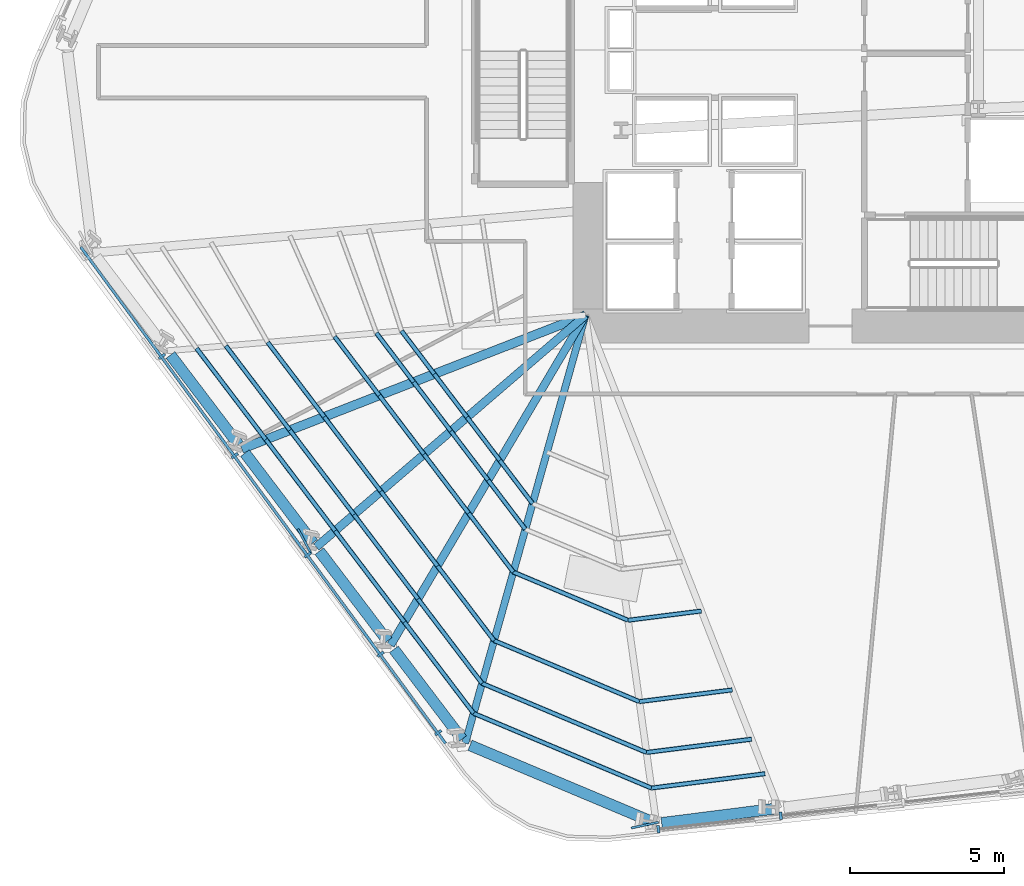
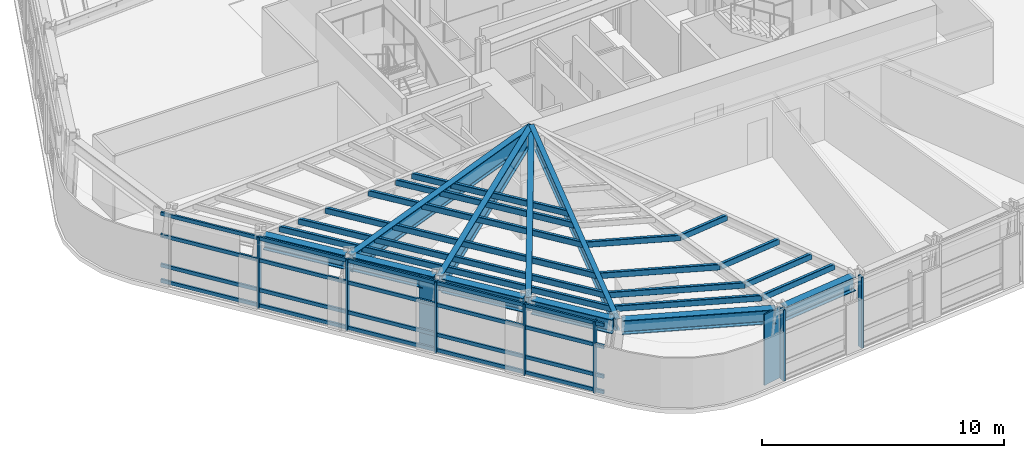
# One storey, part 2 of 16: 45 members, 10 beams, 2 elements without a shape of their own.
"""IFC4 building model written with IfcOpenShell, lengths in metres."""

from ifc_helpers import new_model, si_unit, direction, frame, origin, origin_2d, place, context, subcontext, project, spatial, rectangle, hollow_rectangle, i_section, extrude, material, layer, layer_set, material_profile, profile_set, type_object, element, aggregate, save


model = new_model("IFC4")

# Units and contexts
model_context = context("Model", 3, precision=1e-05, world=origin(), true_north=direction((0.0, 1.0)))
body_context = subcontext(model_context, "Body", "Model", "MODEL_VIEW")
ifc_project = project(units=[si_unit("LENGTHUNIT", "METRE"), si_unit("AREAUNIT", "SQUARE_METRE"), si_unit("VOLUMEUNIT", "CUBIC_METRE"), si_unit("PLANEANGLEUNIT", "RADIAN"), si_unit("MASSUNIT", "GRAM", prefix="KILO")], contexts=[model_context])

# Site, building, storey
site_placement = place(None, origin())
site = spatial("IfcSite", under=ifc_project, at=site_placement, CompositionType="ELEMENT")
building_placement = place(site_placement, origin())
building = spatial("IfcBuilding", under=site, at=building_placement, Name="Valkerne Bourse Tower", CompositionType="ELEMENT")
storey_placement = place(building_placement, frame((0.0, 0.0, 50.60009765625)))
storey = spatial("IfcBuildingStorey", under=building, at=storey_placement, Name="L12", CompositionType="ELEMENT", Elevation=50.60009765625)

# Beams
ifc_material_1 = material(Name="Steel ASTM A992", Category="steel")
ifc_material_profile_1 = material_profile(ifc_material_1, i_section(OverallWidth=0.228271484375, OverallDepth=0.607177734375, WebThickness=0.01123046875, FlangeThickness=0.017333984375, FilletRadius=0.017822265625, at=origin_2d()), Name="W24X76")
ifc_profile_set_1 = profile_set([ifc_material_profile_1], Name="Steel ASTM A992")
beam_type_1 = type_object("IfcBeamType", Name="BM-W24X76", PredefinedType="JOIST", material=ifc_profile_set_1)
beam_1_placement = place(storey_placement, frame((33.697509765625, 4.5126953125, 3.2763671875), z_axis=(0.270540698154, 0.962708538781, 0.0), x_axis=(-0.962708538781, 0.270540698154, 0.0)))
element("IfcBeam", 1, at=beam_1_placement, inside=storey, type_object=beam_type_1, Name="L12 Radial Composite Floor Beam 23", PredefinedType="JOIST", context=body_context, shape_type="SweptSolid", body=[
    extrude(i_section(OverallWidth=0.228271484375, OverallDepth=0.607177734375, WebThickness=0.01123046875, FlangeThickness=0.017333984375, FilletRadius=0.017822265625, at=origin_2d()), origin(), (0.0, 0.0, 1.0), 14.425048828125),
])
ifc_material_profile_2 = material_profile(ifc_material_1, i_section(OverallWidth=0.255859375, OverallDepth=0.693359375, WebThickness=0.014404296875, FlangeThickness=0.023681640625, FilletRadius=0.02294921875, at=origin_2d()), Name="W27X114")
ifc_profile_set_2 = profile_set([ifc_material_profile_2], Name="Steel ASTM A992")
beam_type_2 = type_object("IfcBeamType", Name="BM-W27X114", PredefinedType="BEAM", material=ifc_profile_set_2)
beam_2_placement = place(storey_placement, frame((31.281494140625, 7.69580078125, 3.233154296875), z_axis=(0.508338838293, 0.861157143315, 0.0), x_axis=(-0.861157143315, 0.508338838293, 0.0)))
element("IfcBeam", 2, at=beam_2_placement, inside=storey, type_object=beam_type_2, Name="L12 Radial Composite Floor Beam 22", PredefinedType="BEAM", context=body_context, shape_type="SweptSolid", body=[
    extrude(i_section(OverallWidth=0.255859375, OverallDepth=0.693359375, WebThickness=0.014404296875, FlangeThickness=0.023681640625, FilletRadius=0.02294921875, at=origin_2d()), origin(), (0.0, 0.0, 1.0), 12.429931640625),
])
ifc_material_profile_3 = material_profile(ifc_material_1, i_section(OverallWidth=0.358154296875, OverallDepth=0.7060546875, WebThickness=0.018310546875, FlangeThickness=0.0302734375, FilletRadius=0.02294921875, at=origin_2d()), Name="W27X178")
ifc_profile_set_3 = profile_set([ifc_material_profile_3], Name="Steel ASTM A992")
beam_type_3 = type_object("IfcBeamType", Name="BM-W27X178", PredefinedType="SPANDREL", material=ifc_profile_set_3)
for number, where, z_axis, x_axis, name in (
    (3, (24.136474609375, 17.109130859375, 3.226806640625), (0.604563321247, -0.796557085589, 0.0), (0.796557085589, 0.604563321247, 0.0), "L12 Hexagonal Spandrel Ring Beam 19"),
    (4, (26.552490234375, 13.92626953125, 3.226806640625), (0.604563321247, -0.796557085589, 0.0), (0.796557085589, 0.604563321247, 0.0), "L12 Hexagonal Spandrel Ring Beam 20"),
):
    element("IfcBeam", number, at=place(storey_placement, frame(where, z_axis=z_axis, x_axis=x_axis)), inside=storey, type_object=beam_type_3, Name=name, PredefinedType="SPANDREL", context=body_context, shape_type="SweptSolid", body=[
        extrude(i_section(OverallWidth=0.358154296875, OverallDepth=0.7060546875, WebThickness=0.018310546875, FlangeThickness=0.0302734375, FilletRadius=0.02294921875, at=origin_2d()), origin(), (0.0, 0.0, 1.0), 3.65576171875),
    ])
beam_3_placement = place(storey_placement, frame((28.968505859375, 10.743408203125, 3.226806640625), z_axis=(0.604531163063, -0.796581491679, 0.0), x_axis=(0.796581491679, 0.604531163063, 0.0)))
element("IfcBeam", 5, at=beam_3_placement, inside=storey, type_object=beam_type_3, Name="L12 Hexagonal Spandrel Ring Beam 21", PredefinedType="SPANDREL", context=body_context, shape_type="SweptSolid", body=[
    extrude(i_section(OverallWidth=0.358154296875, OverallDepth=0.7060546875, WebThickness=0.018310546875, FlangeThickness=0.0302734375, FilletRadius=0.02294921875, at=origin_2d()), origin(), (0.0, 0.0, 1.0), 3.656005859375),
])
beam_4_placement = place(storey_placement, frame((31.384521484375, 7.560302734375, 3.226806640625), z_axis=(0.604563321247, -0.796557085589, 0.0), x_axis=(0.796557085589, 0.604563321247, 0.0)))
element("IfcBeam", 6, at=beam_4_placement, inside=storey, type_object=beam_type_3, Name="L12 Hexagonal Spandrel Ring Beam 22", PredefinedType="SPANDREL", context=body_context, shape_type="SweptSolid", body=[
    extrude(i_section(OverallWidth=0.358154296875, OverallDepth=0.7060546875, WebThickness=0.018310546875, FlangeThickness=0.0302734375, FilletRadius=0.02294921875, at=origin_2d()), origin(), (0.0, 0.0, 1.0), 3.65576171875),
])
beam_5_placement = place(storey_placement, frame((33.854248046875, 4.447021484375, 3.226806640625), z_axis=(0.921866102794, -0.387508565738, 0.0), x_axis=(0.387508565738, 0.921866102794, 0.0)))
element("IfcBeam", 7, at=beam_5_placement, inside=storey, type_object=beam_type_3, Name="L12 Hexagonal Spandrel Ring Beam 23", PredefinedType="SPANDREL", context=body_context, shape_type="SweptSolid", body=[
    extrude(i_section(OverallWidth=0.358154296875, OverallDepth=0.7060546875, WebThickness=0.018310546875, FlangeThickness=0.0302734375, FilletRadius=0.02294921875, at=origin_2d()), origin(), (0.0, 0.0, 1.0), 6.38916015625),
])
beam_6_placement = place(storey_placement, frame((40.069580078125, 1.926513671875, 3.226806640625), z_axis=(0.992112618919, 0.125349716324, 0.0), x_axis=(-0.125349716324, 0.992112618919, 0.0)))
element("IfcBeam", 8, at=beam_6_placement, inside=storey, type_object=beam_type_3, Name="L12 Hexagonal Spandrel Ring Beam 24", PredefinedType="SPANDREL", context=body_context, shape_type="SweptSolid", body=[
    extrude(i_section(OverallWidth=0.358154296875, OverallDepth=0.7060546875, WebThickness=0.018310546875, FlangeThickness=0.0302734375, FilletRadius=0.02294921875, at=origin_2d()), origin(), (0.0, 0.0, 1.0), 3.65576171875),
])
ifc_material_profile_4 = material_profile(ifc_material_1, i_section(OverallWidth=0.26806640625, OverallDepth=0.76953125, WebThickness=0.015625, FlangeThickness=0.025390625, FilletRadius=0.025390625, at=origin_2d()), Name="W30X132")
ifc_profile_set_4 = profile_set([ifc_material_profile_4], Name="Steel ASTM A992")
beam_type_4 = type_object("IfcBeamType", Name="BM-W30X132", PredefinedType="BEAM", material=ifc_profile_set_4)
beam_7_placement = place(storey_placement, frame((28.865478515625, 10.878662109375, 3.195068359375), z_axis=(0.757778984348, 0.652511310921, 0.0), x_axis=(-0.652511310921, 0.757778984348, 0.0)))
element("IfcBeam", 9, at=beam_7_placement, inside=storey, type_object=beam_type_4, Name="L12 Radial Composite Floor Beam 21", PredefinedType="BEAM", context=body_context, shape_type="SweptSolid", body=[
    extrude(i_section(OverallWidth=0.26806640625, OverallDepth=0.76953125, WebThickness=0.015625, FlangeThickness=0.025390625, FilletRadius=0.025390625, at=origin_2d()), origin(), (0.0, 0.0, 1.0), 11.526611328125),
])
ifc_material_profile_5 = material_profile(ifc_material_1, i_section(OverallWidth=0.2919921875, OverallDepth=0.8583984375, WebThickness=0.01708984375, FlangeThickness=0.031005859375, FilletRadius=0.025390625, at=origin_2d()), Name="W33X169")
ifc_profile_set_5 = profile_set([ifc_material_profile_5], Name="Steel ASTM A992")
beam_type_5 = type_object("IfcBeamType", Name="BM-W33X169", PredefinedType="BEAM", material=ifc_profile_set_5)
beam_8_placement = place(storey_placement, frame((26.44970703125, 14.0615234375, 3.150634765625), z_axis=(0.931944920422, 0.362599869415, 0.0), x_axis=(-0.362599869415, 0.931944920422, 0.0)))
element("IfcBeam", 10, at=beam_8_placement, inside=storey, type_object=beam_type_5, Name="L12 Radial Composite Floor Beam 20", PredefinedType="BEAM", context=body_context, shape_type="SweptSolid", body=[
    extrude(i_section(OverallWidth=0.2919921875, OverallDepth=0.8583984375, WebThickness=0.01708984375, FlangeThickness=0.031005859375, FilletRadius=0.025390625, at=origin_2d()), origin(), (0.0, 0.0, 1.0), 11.964599609375),
])

# Curtain wall, members
ifc_material_2 = material(Name="Aluminium AA 6063-T6", Category="aluminium")
ifc_layer = layer(ifc_material_2, 0.22509765625)
ifc_layer_set = layer_set([ifc_layer], Name="Aluminium AA 6063-T6")
curtain_wall_type = type_object("IfcCurtainWallType", Name="CW-01", PredefinedType="NOTDEFINED", material=ifc_layer_set)
curtain_wall_1_placement = place(storey_placement, origin())
curtain_wall_1 = element("IfcCurtainWall", 11, at=curtain_wall_1_placement, inside=storey, type_object=curtain_wall_type, Name="L12 Hexagonal Stick Curtain Wall Face 4", PredefinedType="NOTDEFINED")
ifc_material_profile_6 = material_profile(ifc_material_2, rectangle(XDim=0.090087890625, YDim=0.239990234375, at=origin_2d()), Name="CWM-90X240")
ifc_profile_set_6 = profile_set([ifc_material_profile_6], Name="Aluminium AA 6063-T6")
member_type_1 = type_object("IfcMemberType", Name="CW-MUL-240X90", PredefinedType="MULLION", material=ifc_profile_set_6)
member_1_placement = place(storey_placement, frame((23.85791015625, 17.063720703125, 0.0), z_axis=(0.0, 0.0, 1.0), x_axis=(0.592014408049, -0.805927379273, 0.0)))
member_1 = element("IfcMember", 12, at=member_1_placement, type_object=member_type_1, Name="CW-L12-F4 Jamb Mullion 01A", PredefinedType="MULLION", context=body_context, shape_type="SweptSolid", body=[
    extrude(rectangle(XDim=0.090087890625, YDim=0.239990234375, at=origin_2d()), origin(), (0.0, 0.0, 1.0), 3.579833984375),
])
member_2_placement = place(storey_placement, frame((26.223388671875, 13.843017578125, 0.0), z_axis=(0.0, 0.0, 1.0), x_axis=(0.592014408049, -0.805927379273, 0.0)))
member_2 = element("IfcMember", 13, at=member_2_placement, type_object=member_type_1, Name="CW-L12-F4 Jamb Mullion 02A", PredefinedType="MULLION", context=body_context, shape_type="SweptSolid", body=[
    extrude(rectangle(XDim=0.090087890625, YDim=0.239990234375, at=origin_2d()), origin(), (0.0, 0.0, 1.0), 3.579833984375),
])
member_3_placement = place(storey_placement, frame((28.589111328125, 10.62255859375, 0.0), z_axis=(0.0, 0.0, 1.0), x_axis=(0.592014408049, -0.805927379273, 0.0)))
member_3 = element("IfcMember", 14, at=member_3_placement, type_object=member_type_1, Name="CW-L12-F4 Jamb Mullion 03A", PredefinedType="MULLION", context=body_context, shape_type="SweptSolid", body=[
    extrude(rectangle(XDim=0.090087890625, YDim=0.239990234375, at=origin_2d()), origin(), (0.0, 0.0, 1.0), 3.579833984375),
])
member_4_placement = place(storey_placement, frame((30.954833984375, 7.402099609375, 0.0), z_axis=(0.0, 0.0, 1.0), x_axis=(0.592014408049, -0.805927379273, 0.0)))
member_4 = element("IfcMember", 15, at=member_4_placement, type_object=member_type_1, Name="CW-L12-F4 Jamb Mullion 04A", PredefinedType="MULLION", context=body_context, shape_type="SweptSolid", body=[
    extrude(rectangle(XDim=0.090087890625, YDim=0.239990234375, at=origin_2d()), origin(), (0.0, 0.0, 1.0), 3.579833984375),
])
member_5_placement = place(storey_placement, frame((32.8232421875, 4.858642578125, 0.0), z_axis=(0.0, 0.0, 1.0), x_axis=(0.592014408049, -0.805927379273, 0.0)))
member_5 = element("IfcMember", 16, at=member_5_placement, type_object=member_type_1, Name="CW-L12-F4 Jamb Mullion 04B", PredefinedType="MULLION", context=body_context, shape_type="SweptSolid", body=[
    extrude(rectangle(XDim=0.090087890625, YDim=0.239990234375, at=origin_2d()), origin(), (0.0, 0.0, 1.0), 3.579833984375),
])

curtain_wall_2_placement = place(storey_placement, origin())
curtain_wall_2 = element("IfcCurtainWall", 17, at=curtain_wall_2_placement, inside=storey, type_object=curtain_wall_type, Name="L12 Hexagonal Stick Curtain Wall Face 5", PredefinedType="NOTDEFINED")
member_6_placement = place(storey_placement, frame((39.96240234375, 1.724853515625, 0.0), z_axis=(0.0, 0.0, 1.0), x_axis=(0.993961005743, 0.109733855587, 0.0)))
member_6 = element("IfcMember", 18, at=member_6_placement, type_object=member_type_1, Name="CW-L12-F5 Jamb Mullion 00A", PredefinedType="MULLION", context=body_context, shape_type="SweptSolid", body=[
    extrude(rectangle(XDim=0.090087890625, YDim=0.239990234375, at=origin_2d()), origin(), (0.0, 0.0, 1.0), 3.579833984375),
])
member_7_placement = place(storey_placement, frame((43.93408203125, 2.163330078125, 0.0), z_axis=(0.0, 0.0, 1.0), x_axis=(0.993960704395, 0.109736585139, 0.0)))
member_7 = element("IfcMember", 19, at=member_7_placement, type_object=member_type_1, Name="CW-L12-F5 Jamb Mullion 01A", PredefinedType="MULLION", context=body_context, shape_type="SweptSolid", body=[
    extrude(rectangle(XDim=0.090087890625, YDim=0.239990234375, at=origin_2d()), origin(), (0.0, 0.0, 1.0), 3.579833984375),
])
aggregate(curtain_wall_2, [member_6, member_7])

# Member
ifc_material_profile_7 = material_profile(ifc_material_2, rectangle(XDim=0.090087890625, YDim=0.179931640625, at=origin_2d()), Name="CWT-90X180")
ifc_profile_set_7 = profile_set([ifc_material_profile_7], Name="Aluminium AA 6063-T6")
member_type_2 = type_object("IfcMemberType", Name="CW-TRN-180X90", PredefinedType="USERDEFINED", material=ifc_profile_set_7)
member_8_placement = place(storey_placement, frame((21.2275390625, 20.610595703125, 0.119873046875), z_axis=(0.59201505127, -0.805926906779, 0.0), x_axis=(0.805926906779, 0.59201505127, 0.0)))
member_8 = element("IfcMember", 20, at=member_8_placement, type_object=member_type_2, Name="CW-L12-F4 Continuous Face Transom 1", ObjectType="TRANSOM", PredefinedType="USERDEFINED", context=body_context, shape_type="SweptSolid", body=[
    extrude(rectangle(XDim=0.090087890625, YDim=0.179931640625, at=origin_2d()), origin(), (0.0, 0.0, 1.0), 19.979736328125),
])

member_9_placement = place(storey_placement, frame((21.2275390625, 20.610595703125, 0.89990234375), z_axis=(0.59201505127, -0.805926906779, 0.0), x_axis=(0.805926906779, 0.59201505127, 0.0)))
member_9 = element("IfcMember", 21, at=member_9_placement, type_object=member_type_2, Name="CW-L12-F4 Continuous Face Transom 2", ObjectType="TRANSOM", PredefinedType="USERDEFINED", context=body_context, shape_type="SweptSolid", body=[
    extrude(rectangle(XDim=0.090087890625, YDim=0.179931640625, at=origin_2d()), origin(), (0.0, 0.0, 1.0), 19.979736328125),
])

member_10_placement = place(storey_placement, frame((21.2275390625, 20.610595703125, 2.39990234375), z_axis=(0.59201505127, -0.805926906779, 0.0), x_axis=(0.805926906779, 0.59201505127, 0.0)))
member_10 = element("IfcMember", 22, at=member_10_placement, type_object=member_type_2, Name="CW-L12-F4 Continuous Face Transom 3", ObjectType="TRANSOM", PredefinedType="USERDEFINED", context=body_context, shape_type="SweptSolid", body=[
    extrude(rectangle(XDim=0.090087890625, YDim=0.179931640625, at=origin_2d()), origin(), (0.0, 0.0, 1.0), 19.979736328125),
])

member_11_placement = place(storey_placement, frame((21.2275390625, 20.610595703125, 3.5), z_axis=(0.59201505127, -0.805926906779, 0.0), x_axis=(0.805926906779, 0.59201505127, 0.0)))
member_11 = element("IfcMember", 23, at=member_11_placement, type_object=member_type_2, Name="CW-L12-F4 Continuous Face Transom 4", ObjectType="TRANSOM", PredefinedType="USERDEFINED", context=body_context, shape_type="SweptSolid", body=[
    extrude(rectangle(XDim=0.090087890625, YDim=0.179931640625, at=origin_2d()), origin(), (0.0, 0.0, 1.0), 19.979736328125),
])

aggregate(curtain_wall_1, [member_8, member_9, member_10, member_11, member_1, member_2, member_3, member_4, member_5])

# Members
ifc_material_3 = material(Name="Bronze Anodised Aluminium AA 6063-T6", Category="aluminium")
ifc_material_profile_8 = material_profile(ifc_material_3, rectangle(XDim=0.070068359375, YDim=0.89990234375, at=origin_2d()), Name="FIN-70X900")
ifc_profile_set_8 = profile_set([ifc_material_profile_8], Name="Bronze Anodised Aluminium AA 6063-T6")
member_type_3 = type_object("IfcMemberType", Name="FIN-SOLAR-900", PredefinedType="USERDEFINED", material=ifc_profile_set_8)
for number, where, z_axis, x_axis, name in (
    (24, (28.485595703125, 11.067626953125, 0.00390625), (0.0, 0.0, 1.0), (-0.881875780905, -0.47148182049, 0.0), "L12 Bronze Anodised Solar Fin F4-03"),
    (25, (39.525146484375, 1.857666015625, 0.00390625), (0.0, 0.0, 1.0), (0.208955841519, -0.977925077036, 0.0), "L12 Bronze Anodised Solar Fin F5-00"),
):
    element("IfcMember", number, at=place(storey_placement, frame(where, z_axis=z_axis, x_axis=x_axis)), inside=storey, type_object=member_type_3, Name=name, ObjectType="SOLAR_FIN", PredefinedType="USERDEFINED", context=body_context, shape_type="SweptSolid", body=[
        extrude(rectangle(XDim=0.070068359375, YDim=0.89990234375, at=origin_2d()), origin(), (0.0, 0.0, 1.0), 3.572021484375),
    ])
ifc_material_4 = material(Name="Steel ASTM A500 Grade C", Category="steel")
ifc_material_profile_9 = material_profile(ifc_material_4, hollow_rectangle(XDim=0.14990234375, YDim=0.300048828125, WallThickness=0.012451171875, OuterFilletRadius=0.02490234375, at=origin_2d()), Name="HSS300X150X12.5")
ifc_profile_set_9 = profile_set([ifc_material_profile_9], Name="Steel ASTM A500 Grade C")
member_type_4 = type_object("IfcMemberType", Name="MBR-HSS300X150X12.5", PredefinedType="PURLIN", material=ifc_profile_set_9)
member_12_placement = place(storey_placement, frame((31.630859375, 17.8916015625, 3.419921875), z_axis=(0.604611363643, -0.796520620545, 0.0), x_axis=(0.796520620545, 0.604611363643, 0.0)))
element("IfcMember", 26, at=member_12_placement, inside=storey, type_object=member_type_4, Name="L12 Secondary Composite Floor Purlin K-19", PredefinedType="PURLIN", context=body_context, shape_type="SweptSolid", body=[
    extrude(hollow_rectangle(XDim=0.14990234375, YDim=0.300048828125, WallThickness=0.012451171875, OuterFilletRadius=0.02490234375, at=origin_2d()), origin(), (0.0, 0.0, 1.0), 1.758056640625),
])
member_13_placement = place(storey_placement, frame((32.69384765625, 16.4912109375, 3.419921875), z_axis=(0.604544494307, -0.796571374331, 0.0), x_axis=(0.796571374331, 0.604544494307, 0.0)))
element("IfcMember", 27, at=member_13_placement, inside=storey, type_object=member_type_4, Name="L12 Secondary Composite Floor Purlin K-20", PredefinedType="PURLIN", context=body_context, shape_type="SweptSolid", body=[
    extrude(hollow_rectangle(XDim=0.14990234375, YDim=0.300048828125, WallThickness=0.012451171875, OuterFilletRadius=0.02490234375, at=origin_2d()), origin(), (0.0, 0.0, 1.0), 1.75830078125),
])
member_14_placement = place(storey_placement, frame((33.7568359375, 15.090576171875, 3.419921875), z_axis=(0.604611363643, -0.796520620545, 0.0), x_axis=(0.796520620545, 0.604611363643, 0.0)))
element("IfcMember", 28, at=member_14_placement, inside=storey, type_object=member_type_4, Name="L12 Secondary Composite Floor Purlin K-21", PredefinedType="PURLIN", context=body_context, shape_type="SweptSolid", body=[
    extrude(hollow_rectangle(XDim=0.14990234375, YDim=0.300048828125, WallThickness=0.012451171875, OuterFilletRadius=0.02490234375, at=origin_2d()), origin(), (0.0, 0.0, 1.0), 1.758056640625),
])
member_15_placement = place(storey_placement, frame((34.81982421875, 13.690185546875, 3.419921875), z_axis=(0.604544494307, -0.796571374331, 0.0), x_axis=(0.796571374331, 0.604544494307, 0.0)))
element("IfcMember", 29, at=member_15_placement, inside=storey, type_object=member_type_4, Name="L12 Secondary Composite Floor Purlin K-22", PredefinedType="PURLIN", context=body_context, shape_type="SweptSolid", body=[
    extrude(hollow_rectangle(XDim=0.14990234375, YDim=0.300048828125, WallThickness=0.012451171875, OuterFilletRadius=0.02490234375, at=origin_2d()), origin(), (0.0, 0.0, 1.0), 1.75830078125),
])
member_16_placement = place(storey_placement, frame((30.81689453125, 17.822265625, 3.419921875), z_axis=(0.60458436057, -0.796541116927, 0.0), x_axis=(0.796541116927, 0.60458436057, 0.0)))
element("IfcMember", 30, at=member_16_placement, inside=storey, type_object=member_type_4, Name="L12 Secondary Composite Floor Purlin M-19", PredefinedType="PURLIN", context=body_context, shape_type="SweptSolid", body=[
    extrude(hollow_rectangle(XDim=0.14990234375, YDim=0.300048828125, WallThickness=0.012451171875, OuterFilletRadius=0.02490234375, at=origin_2d()), origin(), (0.0, 0.0, 1.0), 1.998046875),
])
member_17_placement = place(storey_placement, frame((32.02490234375, 16.230712890625, 3.419921875), z_axis=(0.604643207311, -0.796496448111, 0.0), x_axis=(0.796496448111, 0.604643207311, 0.0)))
element("IfcMember", 31, at=member_17_placement, inside=storey, type_object=member_type_4, Name="L12 Secondary Composite Floor Purlin M-20", PredefinedType="PURLIN", context=body_context, shape_type="SweptSolid", body=[
    extrude(hollow_rectangle(XDim=0.14990234375, YDim=0.300048828125, WallThickness=0.012451171875, OuterFilletRadius=0.02490234375, at=origin_2d()), origin(), (0.0, 0.0, 1.0), 1.997802734375),
])
for number, where, z_axis, x_axis, name in (
    (32, (33.23291015625, 14.639404296875, 3.419921875), (0.60458436057, -0.796541116927, 0.0), (0.796541116927, 0.60458436057, 0.0), "L12 Secondary Composite Floor Purlin M-21"),
    (33, (34.44091796875, 13.0478515625, 3.419921875), (0.60450682665, -0.796599960164, 0.0), (0.796599960164, 0.60450682665, 0.0), "L12 Secondary Composite Floor Purlin M-22"),
):
    element("IfcMember", number, at=place(storey_placement, frame(where, z_axis=z_axis, x_axis=x_axis)), inside=storey, type_object=member_type_4, Name=name, PredefinedType="PURLIN", context=body_context, shape_type="SweptSolid", body=[
        extrude(hollow_rectangle(XDim=0.14990234375, YDim=0.300048828125, WallThickness=0.012451171875, OuterFilletRadius=0.02490234375, at=origin_2d()), origin(), (0.0, 0.0, 1.0), 1.998046875),
    ])
member_18_placement = place(storey_placement, frame((27.28955078125, 17.52197265625, 3.419921875), z_axis=(0.604581755258, -0.796543094383, 0.0), x_axis=(0.796543094383, 0.604581755258, 0.0)))
element("IfcMember", 34, at=member_18_placement, inside=storey, type_object=member_type_4, Name="L12 Secondary Composite Floor Purlin O-19", PredefinedType="PURLIN", context=body_context, shape_type="SweptSolid", body=[
    extrude(hollow_rectangle(XDim=0.14990234375, YDim=0.300048828125, WallThickness=0.012451171875, OuterFilletRadius=0.02490234375, at=origin_2d()), origin(), (0.0, 0.0, 1.0), 3.037109375),
])
member_19_placement = place(storey_placement, frame((29.125732421875, 15.102783203125, 3.419921875), z_axis=(0.604620468858, -0.796513709008, 0.0), x_axis=(0.796513709008, 0.604620468858, 0.0)))
element("IfcMember", 35, at=member_19_placement, inside=storey, type_object=member_type_4, Name="L12 Secondary Composite Floor Purlin O-20", PredefinedType="PURLIN", context=body_context, shape_type="SweptSolid", body=[
    extrude(hollow_rectangle(XDim=0.14990234375, YDim=0.300048828125, WallThickness=0.012451171875, OuterFilletRadius=0.02490234375, at=origin_2d()), origin(), (0.0, 0.0, 1.0), 3.036865234375),
])
member_20_placement = place(storey_placement, frame((30.9619140625, 12.683837890625, 3.419921875), z_axis=(0.604581755258, -0.796543094383, 0.0), x_axis=(0.796543094383, 0.604581755258, 0.0)))
element("IfcMember", 36, at=member_20_placement, inside=storey, type_object=member_type_4, Name="L12 Secondary Composite Floor Purlin O-21", PredefinedType="PURLIN", context=body_context, shape_type="SweptSolid", body=[
    extrude(hollow_rectangle(XDim=0.14990234375, YDim=0.300048828125, WallThickness=0.012451171875, OuterFilletRadius=0.02490234375, at=origin_2d()), origin(), (0.0, 0.0, 1.0), 3.037109375),
])
member_21_placement = place(storey_placement, frame((32.798095703125, 10.2646484375, 3.419921875), z_axis=(0.604620468858, -0.796513709008, 0.0), x_axis=(0.796513709008, 0.604620468858, 0.0)))
element("IfcMember", 37, at=member_21_placement, inside=storey, type_object=member_type_4, Name="L12 Secondary Composite Floor Purlin O-22", PredefinedType="PURLIN", context=body_context, shape_type="SweptSolid", body=[
    extrude(hollow_rectangle(XDim=0.14990234375, YDim=0.300048828125, WallThickness=0.012451171875, OuterFilletRadius=0.02490234375, at=origin_2d()), origin(), (0.0, 0.0, 1.0), 3.036865234375),
])
member_22_placement = place(storey_placement, frame((34.63427734375, 7.845703125, 3.419921875), z_axis=(0.921866162881, -0.387508422792, 0.0), x_axis=(0.387508422792, 0.921866162881, 0.0)))
element("IfcMember", 38, at=member_22_placement, inside=storey, type_object=member_type_4, Name="L12 Secondary Composite Floor Purlin O-23", PredefinedType="PURLIN", context=body_context, shape_type="SweptSolid", body=[
    extrude(hollow_rectangle(XDim=0.14990234375, YDim=0.300048828125, WallThickness=0.012451171875, OuterFilletRadius=0.02490234375, at=origin_2d()), origin(), (0.0, 0.0, 1.0), 5.114013671875),
])
member_23_placement = place(storey_placement, frame((39.3486328125, 5.864013671875, 3.419921875), z_axis=(0.992115009792, 0.125330791692, 0.0), x_axis=(-0.125330791692, 0.992115009792, 0.0)))
element("IfcMember", 39, at=member_23_placement, inside=storey, type_object=member_type_4, Name="L12 Secondary Composite Floor Purlin O-24", PredefinedType="PURLIN", context=body_context, shape_type="SweptSolid", body=[
    extrude(hollow_rectangle(XDim=0.14990234375, YDim=0.300048828125, WallThickness=0.012451171875, OuterFilletRadius=0.02490234375, at=origin_2d()), origin(), (0.0, 0.0, 1.0), 3.036865234375),
])
for number, where, z_axis, x_axis, name in (
    (40, (29.460205078125, 17.706787109375, 3.419921875), (0.60464943139, -0.796491723196, 0.0), (0.796491723196, 0.60464943139, 0.0), "L12 Secondary Composite Floor Purlin Z-19"),
    (41, (30.909912109375, 15.797119140625, 3.419921875), (0.604535788665, -0.796577981257, 0.0), (0.796577981257, 0.604535788665, 0.0), "L12 Secondary Composite Floor Purlin Z-20"),
    (42, (32.359375, 13.88720703125, 3.419921875), (0.604600394458, -0.796528946757, 0.0), (0.796528946757, 0.604600394458, 0.0), "L12 Secondary Composite Floor Purlin Z-21"),
):
    element("IfcMember", number, at=place(storey_placement, frame(where, z_axis=z_axis, x_axis=x_axis)), inside=storey, type_object=member_type_4, Name=name, PredefinedType="PURLIN", context=body_context, shape_type="SweptSolid", body=[
        extrude(hollow_rectangle(XDim=0.14990234375, YDim=0.300048828125, WallThickness=0.012451171875, OuterFilletRadius=0.02490234375, at=origin_2d()), origin(), (0.0, 0.0, 1.0), 2.397705078125),
    ])
member_24_placement = place(storey_placement, frame((33.80908203125, 11.977294921875, 3.419921875), z_axis=(0.604584826395, -0.796540763359, 0.0), x_axis=(0.796540763359, 0.604584826395, 0.0)))
element("IfcMember", 43, at=member_24_placement, inside=storey, type_object=member_type_4, Name="L12 Secondary Composite Floor Purlin Z-22", PredefinedType="PURLIN", context=body_context, shape_type="SweptSolid", body=[
    extrude(hollow_rectangle(XDim=0.14990234375, YDim=0.300048828125, WallThickness=0.012451171875, OuterFilletRadius=0.02490234375, at=origin_2d()), origin(), (0.0, 0.0, 1.0), 2.3974609375),
])
member_25_placement = place(storey_placement, frame((35.258544921875, 10.067626953125, 3.419921875), z_axis=(0.921871963188, -0.387494623818, 0.0), x_axis=(0.387494623818, 0.921871963188, 0.0)))
element("IfcMember", 44, at=member_25_placement, inside=storey, type_object=member_type_4, Name="L12 Secondary Composite Floor Purlin Z-23", PredefinedType="PURLIN", context=body_context, shape_type="SweptSolid", body=[
    extrude(hollow_rectangle(XDim=0.14990234375, YDim=0.300048828125, WallThickness=0.012451171875, OuterFilletRadius=0.02490234375, at=origin_2d()), origin(), (0.0, 0.0, 1.0), 4.037353515625),
])
member_26_placement = place(storey_placement, frame((38.98046875, 8.503173828125, 3.419921875), z_axis=(0.992112512366, 0.125350559655, 0.0), x_axis=(-0.125350559655, 0.992112512366, 0.0)))
element("IfcMember", 45, at=member_26_placement, inside=storey, type_object=member_type_4, Name="L12 Secondary Composite Floor Purlin Z-24", PredefinedType="PURLIN", context=body_context, shape_type="SweptSolid", body=[
    extrude(hollow_rectangle(XDim=0.14990234375, YDim=0.300048828125, WallThickness=0.012451171875, OuterFilletRadius=0.02490234375, at=origin_2d()), origin(), (0.0, 0.0, 1.0), 2.3974609375),
])
member_27_placement = place(storey_placement, frame((25.93310546875, 17.406494140625, 3.419921875), z_axis=(0.604548171454, -0.796568583609, 0.0), x_axis=(0.796568583609, 0.604548171454, 0.0)))
element("IfcMember", 46, at=member_27_placement, inside=storey, type_object=member_type_4, Name="L12 Secondary Composite Floor Purlin T-19", PredefinedType="PURLIN", context=body_context, shape_type="SweptSolid", body=[
    extrude(hollow_rectangle(XDim=0.14990234375, YDim=0.300048828125, WallThickness=0.012451171875, OuterFilletRadius=0.02490234375, at=origin_2d()), origin(), (0.0, 0.0, 1.0), 3.436767578125),
])
for number, where, z_axis, x_axis, name in (
    (47, (28.0107421875, 14.6689453125, 3.419921875), (0.604582383018, -0.796542617908, 0.0), (0.796542617908, 0.604582383018, 0.0), "L12 Secondary Composite Floor Purlin T-20"),
    (48, (30.08837890625, 11.931640625, 3.419921875), (0.604627455968, -0.79650840516, 0.0), (0.79650840516, 0.604627455968, 0.0), "L12 Secondary Composite Floor Purlin T-21"),
    (49, (32.166259765625, 9.1943359375, 3.419921875), (0.604582383018, -0.796542617908, 0.0), (0.796542617908, 0.604582383018, 0.0), "L12 Secondary Composite Floor Purlin T-22"),
):
    element("IfcMember", number, at=place(storey_placement, frame(where, z_axis=z_axis, x_axis=x_axis)), inside=storey, type_object=member_type_4, Name=name, PredefinedType="PURLIN", context=body_context, shape_type="SweptSolid", body=[
        extrude(hollow_rectangle(XDim=0.14990234375, YDim=0.300048828125, WallThickness=0.012451171875, OuterFilletRadius=0.02490234375, at=origin_2d()), origin(), (0.0, 0.0, 1.0), 3.4365234375),
    ])
member_28_placement = place(storey_placement, frame((34.243896484375, 6.45703125, 3.419921875), z_axis=(0.921867893206, -0.387504306398, 0.0), x_axis=(0.387504306398, 0.921867893206, 0.0)))
element("IfcMember", 50, at=member_28_placement, inside=storey, type_object=member_type_4, Name="L12 Secondary Composite Floor Purlin T-23", PredefinedType="PURLIN", context=body_context, shape_type="SweptSolid", body=[
    extrude(hollow_rectangle(XDim=0.14990234375, YDim=0.300048828125, WallThickness=0.012451171875, OuterFilletRadius=0.02490234375, at=origin_2d()), origin(), (0.0, 0.0, 1.0), 5.786865234375),
])
member_29_placement = place(storey_placement, frame((39.57861328125, 4.214599609375, 3.419921875), z_axis=(0.992117493245, 0.125311131182, 0.0), x_axis=(-0.125311131182, 0.992117493245, 0.0)))
element("IfcMember", 51, at=member_29_placement, inside=storey, type_object=member_type_4, Name="L12 Secondary Composite Floor Purlin T-24", PredefinedType="PURLIN", context=body_context, shape_type="SweptSolid", body=[
    extrude(hollow_rectangle(XDim=0.14990234375, YDim=0.300048828125, WallThickness=0.012451171875, OuterFilletRadius=0.02490234375, at=origin_2d()), origin(), (0.0, 0.0, 1.0), 3.436767578125),
])
member_30_placement = place(storey_placement, frame((24.9833984375, 17.325439453125, 3.419921875), z_axis=(0.604541762204, -0.796573447807, 0.0), x_axis=(0.796573447807, 0.604541762204, 0.0)))
element("IfcMember", 52, at=member_30_placement, inside=storey, type_object=member_type_4, Name="L12 Secondary Composite Floor Purlin U-19", PredefinedType="PURLIN", context=body_context, shape_type="SweptSolid", body=[
    extrude(hollow_rectangle(XDim=0.14990234375, YDim=0.300048828125, WallThickness=0.012451171875, OuterFilletRadius=0.02490234375, at=origin_2d()), origin(), (0.0, 0.0, 1.0), 3.716064453125),
])
for number, where, z_axis, x_axis, name in (
    (53, (27.22998046875, 14.365234375, 3.419921875), (0.604656762909, -0.796486157487, 0.0), (0.796486157487, 0.604656762909, 0.0), "L12 Secondary Composite Floor Purlin U-20"),
    (54, (29.47705078125, 11.4052734375, 3.419921875), (0.604583446249, -0.796541810906, 0.0), (0.796541810906, 0.604583446249, 0.0), "L12 Secondary Composite Floor Purlin U-21"),
    (55, (31.723876953125, 8.445068359375, 3.419921875), (0.604583446249, -0.796541810906, 0.0), (0.796541810906, 0.604583446249, 0.0), "L12 Secondary Composite Floor Purlin U-22"),
):
    element("IfcMember", number, at=place(storey_placement, frame(where, z_axis=z_axis, x_axis=x_axis)), inside=storey, type_object=member_type_4, Name=name, PredefinedType="PURLIN", context=body_context, shape_type="SweptSolid", body=[
        extrude(hollow_rectangle(XDim=0.14990234375, YDim=0.300048828125, WallThickness=0.012451171875, OuterFilletRadius=0.02490234375, at=origin_2d()), origin(), (0.0, 0.0, 1.0), 3.71630859375),
    ])
member_31_placement = place(storey_placement, frame((33.970703125, 5.48486328125, 3.419921875), z_axis=(0.921865065859, -0.387511032551, 0.0), x_axis=(0.387511032551, 0.921865065859, 0.0)))
element("IfcMember", 56, at=member_31_placement, inside=storey, type_object=member_type_4, Name="L12 Secondary Composite Floor Purlin U-23", PredefinedType="PURLIN", context=body_context, shape_type="SweptSolid", body=[
    extrude(hollow_rectangle(XDim=0.14990234375, YDim=0.300048828125, WallThickness=0.012451171875, OuterFilletRadius=0.02490234375, at=origin_2d()), origin(), (0.0, 0.0, 1.0), 6.258056640625),
])
member_32_placement = place(storey_placement, frame((39.73974609375, 3.059814453125, 3.419921875), z_axis=(0.992113282123, 0.12534446711, 0.0), x_axis=(-0.12534446711, 0.992113282123, 0.0)))
element("IfcMember", 57, at=member_32_placement, inside=storey, type_object=member_type_4, Name="L12 Secondary Composite Floor Purlin U-24", PredefinedType="PURLIN", context=body_context, shape_type="SweptSolid", body=[
    extrude(hollow_rectangle(XDim=0.14990234375, YDim=0.300048828125, WallThickness=0.012451171875, OuterFilletRadius=0.02490234375, at=origin_2d()), origin(), (0.0, 0.0, 1.0), 3.71630859375),
])

save(model, "model.ifc")
